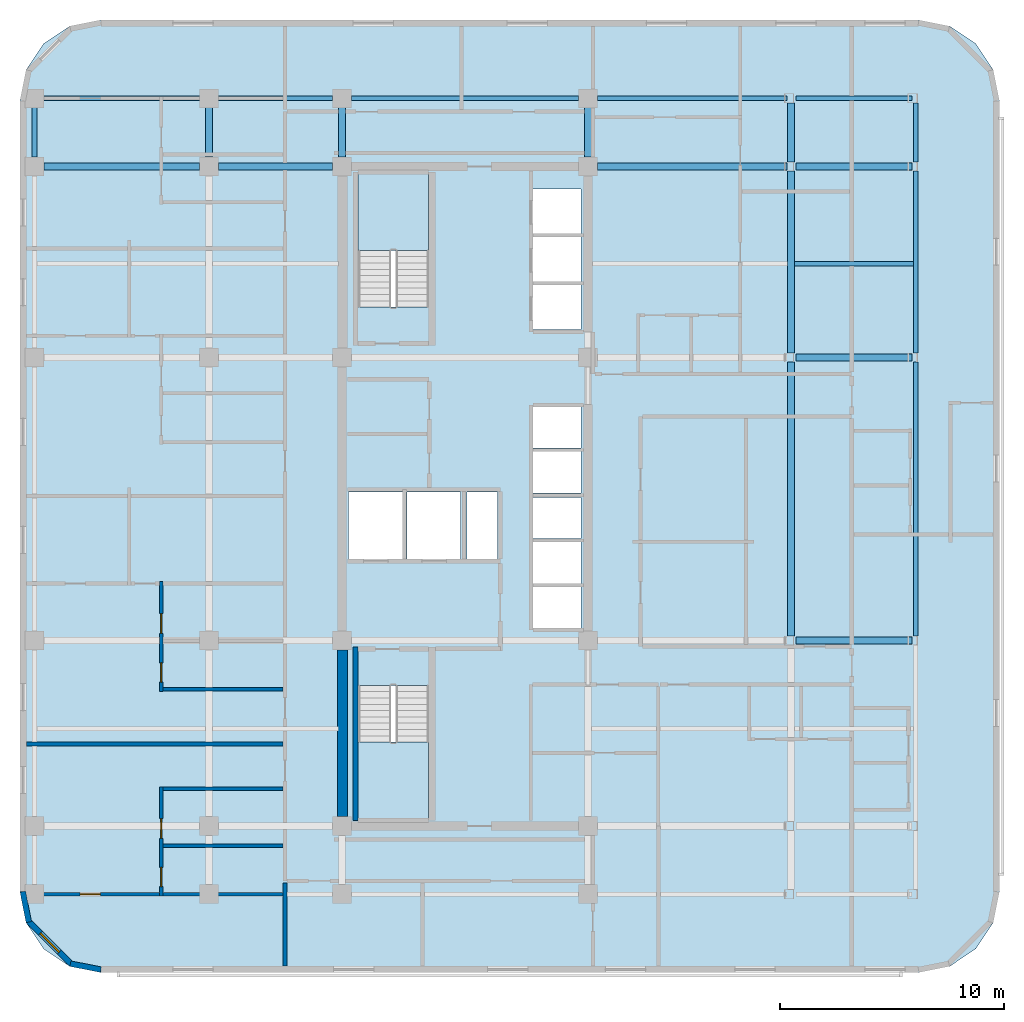
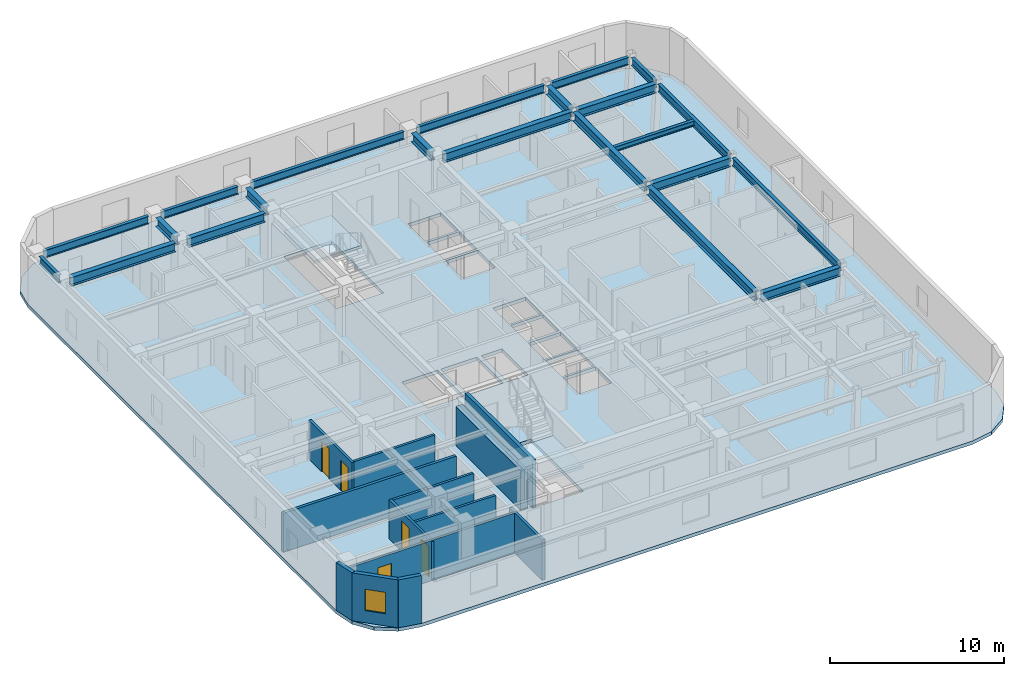
# One storey, part 2 of 11: 22 beams, 13 walls, 5 doors, 3 slabs, 1 window, 6 openings, 2 elements without a shape of their own.
"""IFC4 building model written with IfcOpenShell, lengths in metres."""

from ifc_helpers import new_model, si_unit, direction, frame, frame_2d, origin, origin_2d, place, context, subcontext, project, spatial, polyline, rectangle, i_section, outline, extrude, material, layer, layer_set, material_profile, profile_set, type_object, element, fill, aggregate, save


model = new_model("IFC4")

# Units and contexts
model_context = context("Model", 3, precision=1e-05, world=origin(), true_north=direction((0.0, 1.0)))
body_context = subcontext(model_context, "Body", "Model", "MODEL_VIEW")
ifc_project = project(units=[si_unit("LENGTHUNIT", "METRE"), si_unit("AREAUNIT", "SQUARE_METRE"), si_unit("VOLUMEUNIT", "CUBIC_METRE"), si_unit("PLANEANGLEUNIT", "RADIAN"), si_unit("MASSUNIT", "GRAM", prefix="KILO")], contexts=[model_context])

# Site, building, storey
site_placement = place(None, origin())
site = spatial("IfcSite", under=ifc_project, at=site_placement, CompositionType="ELEMENT")
building_placement = place(site_placement, origin())
building = spatial("IfcBuilding", under=site, at=building_placement, Name="Ochreholt Gables", CompositionType="ELEMENT")
storey_placement = place(building_placement, frame((0.0, 0.0, 121.199951171875)))
storey = spatial("IfcBuildingStorey", under=building, at=storey_placement, Name="L31", CompositionType="ELEMENT", Elevation=121.199951171875)

# Beams
ifc_material_1 = material(Name="Steel CSA G40.21 350W", Category="steel")
ifc_material_profile_1 = material_profile(ifc_material_1, i_section(OverallWidth=0.323974609375, OverallDepth=0.611083984375, WebThickness=0.0126953125, FlangeThickness=0.01904296875, at=origin_2d()), Name="W610X155")
ifc_profile_set_1 = profile_set([ifc_material_profile_1], Name="Steel CSA G40.21 350W")
beam_type_1 = type_object("IfcBeamType", Name="BM-G-W610A", PredefinedType="BEAM", material=ifc_profile_set_1)
for number, where, z_axis, x_axis, name in (
    (1, (44.506591796875, 17.550048828125, 3.054443359375), (1.0, 0.0, 0.0), (0.0, 1.0, 0.0), "L31 Beam TBG-L31-EMEE-Y3"),
    (2, (44.506591796875, 30.199951171875, 3.054443359375), (1.0, 0.0, 0.0), (0.0, 1.0, 0.0), "L31 Beam TBG-L31-EMEE-Y4"),
):
    element("IfcBeam", number, at=place(storey_placement, frame(where, z_axis=z_axis, x_axis=x_axis)), inside=storey, type_object=beam_type_1, Name=name, PredefinedType="BEAM", context=body_context, shape_type="SweptSolid", body=[
        extrude(i_section(OverallWidth=0.323974609375, OverallDepth=0.611083984375, WebThickness=0.0126953125, FlangeThickness=0.01904296875, at=origin_2d()), origin(), (0.0, 0.0, 1.0), 5.18603515625),
    ])
beam_1_placement = place(storey_placement, frame((10.87451171875, 38.75, 3.054443359375), z_axis=(1.0, 0.0, 0.0), x_axis=(0.0, 1.0, 0.0)))
element("IfcBeam", 3, at=beam_1_placement, inside=storey, type_object=beam_type_1, Name="L31 Beam TBG-L31-W2W3-Y5", PredefinedType="BEAM", context=body_context, shape_type="SweptSolid", body=[
    extrude(i_section(OverallWidth=0.323974609375, OverallDepth=0.611083984375, WebThickness=0.0126953125, FlangeThickness=0.01904296875, at=origin_2d()), origin(), (0.0, 0.0, 1.0), 6.950927734375),
])
beam_2_placement = place(storey_placement, frame((18.674560546875, 38.75, 3.054443359375), z_axis=(1.0, 0.0, 0.0), x_axis=(0.0, 1.0, 0.0)))
element("IfcBeam", 4, at=beam_2_placement, inside=storey, type_object=beam_type_1, Name="L31 Beam TBG-L31-W3C1-Y5", PredefinedType="BEAM", context=body_context, shape_type="SweptSolid", body=[
    extrude(i_section(OverallWidth=0.323974609375, OverallDepth=0.611083984375, WebThickness=0.0126953125, FlangeThickness=0.01904296875, at=origin_2d()), origin(), (0.0, 0.0, 1.0), 5.100830078125),
])
beam_3_placement = place(storey_placement, frame((35.62451171875, 38.75, 3.054443359375), z_axis=(1.0, 0.0, 0.0), x_axis=(0.0, 1.0, 0.0)))
element("IfcBeam", 5, at=beam_3_placement, inside=storey, type_object=beam_type_1, Name="L31 Beam TBG-L31-C2EM-Y5", PredefinedType="BEAM", context=body_context, shape_type="SweptSolid", body=[
    extrude(i_section(OverallWidth=0.323974609375, OverallDepth=0.611083984375, WebThickness=0.0126953125, FlangeThickness=0.01904296875, at=origin_2d()), origin(), (0.0, 0.0, 1.0), 8.476806640625),
])
beam_4_placement = place(storey_placement, frame((44.506591796875, 38.75, 3.054443359375), z_axis=(1.0, 0.0, 0.0), x_axis=(0.0, 1.0, 0.0)))
element("IfcBeam", 6, at=beam_4_placement, inside=storey, type_object=beam_type_1, Name="L31 Beam TBG-L31-EMEE-Y5", PredefinedType="BEAM", context=body_context, shape_type="SweptSolid", body=[
    extrude(i_section(OverallWidth=0.323974609375, OverallDepth=0.611083984375, WebThickness=0.0126953125, FlangeThickness=0.01904296875, at=origin_2d()), origin(), (0.0, 0.0, 1.0), 5.18603515625),
])
for number, where, z_axis, x_axis, name in (
    (7, (18.25, 39.174560546875, 3.054443359375), (0.0, 1.0, 0.0), (-1.0, 0.0, 0.0), "L31 Beam TBN-L31-W3-Y5Y6"),
    (8, (24.199951171875, 39.174560546875, 3.054443359375), (0.0, 1.0, 0.0), (-1.0, 0.0, 0.0), "L31 Beam TBN-L31-C1-Y5Y6"),
    (9, (35.199951171875, 39.174560546875, 3.054443359375), (0.0, 1.0, 0.0), (-1.0, 0.0, 0.0), "L31 Beam TBN-L31-C2-Y5Y6"),
):
    element("IfcBeam", number, at=place(storey_placement, frame(where, z_axis=z_axis, x_axis=x_axis)), inside=storey, type_object=beam_type_1, Name=name, PredefinedType="BEAM", context=body_context, shape_type="SweptSolid", body=[
        extrude(i_section(OverallWidth=0.323974609375, OverallDepth=0.611083984375, WebThickness=0.0126953125, FlangeThickness=0.01904296875, at=origin_2d()), origin(), (0.0, 0.0, 1.0), 2.200927734375),
    ])
beam_5_placement = place(storey_placement, frame((44.286865234375, 17.752685546875, 3.054443359375), z_axis=(0.0, 1.0, 0.0), x_axis=(-1.0, 0.0, 0.0)))
element("IfcBeam", 10, at=beam_5_placement, inside=storey, type_object=beam_type_1, Name="L31 Beam TBN-L31-EM-Y3Y4", PredefinedType="BEAM", context=body_context, shape_type="SweptSolid", body=[
    extrude(i_section(OverallWidth=0.323974609375, OverallDepth=0.611083984375, WebThickness=0.0126953125, FlangeThickness=0.01904296875, at=origin_2d()), origin(), (0.0, 0.0, 1.0), 12.24462890625),
])
beam_6_placement = place(storey_placement, frame((44.286865234375, 30.402587890625, 3.054443359375), z_axis=(0.0, 1.0, 0.0), x_axis=(-1.0, 0.0, 0.0)))
element("IfcBeam", 11, at=beam_6_placement, inside=storey, type_object=beam_type_1, Name="L31 Beam TBN-L31-EM-Y4Y5", PredefinedType="BEAM", context=body_context, shape_type="SweptSolid", body=[
    extrude(i_section(OverallWidth=0.323974609375, OverallDepth=0.611083984375, WebThickness=0.0126953125, FlangeThickness=0.01904296875, at=origin_2d()), origin(), (0.0, 0.0, 1.0), 8.144775390625),
])
beam_7_placement = place(storey_placement, frame((44.286865234375, 38.95263671875, 3.054443359375), z_axis=(0.0, 1.0, 0.0), x_axis=(-1.0, 0.0, 0.0)))
element("IfcBeam", 12, at=beam_7_placement, inside=storey, type_object=beam_type_1, Name="L31 Beam TBN-L31-EM-Y5Y6", PredefinedType="BEAM", context=body_context, shape_type="SweptSolid", body=[
    extrude(i_section(OverallWidth=0.323974609375, OverallDepth=0.611083984375, WebThickness=0.0126953125, FlangeThickness=0.01904296875, at=origin_2d()), origin(), (0.0, 0.0, 1.0), 2.644775390625),
])
ifc_material_profile_2 = material_profile(ifc_material_1, i_section(OverallWidth=0.205078125, OverallDepth=0.35400390625, WebThickness=0.009521484375, FlangeThickness=0.016845703125, at=origin_2d()), Name="W360X79")
ifc_profile_set_2 = profile_set([ifc_material_profile_2], Name="Steel CSA G40.21 350W")
beam_type_2 = type_object("IfcBeamType", Name="BM-J-W360A", PredefinedType="JOIST", material=ifc_profile_set_2)
beam_8_placement = place(storey_placement, frame((44.448486328125, 34.39990234375, 3.18310546875), z_axis=(1.0, 0.0, 0.0), x_axis=(0.0, 1.0, 0.0)))
element("IfcBeam", 13, at=beam_8_placement, inside=storey, type_object=beam_type_2, Name="L31 Beam TBJ-L31-J2-EMEE", PredefinedType="JOIST", context=body_context, shape_type="SweptSolid", body=[
    extrude(i_section(OverallWidth=0.205078125, OverallDepth=0.35400390625, WebThickness=0.009521484375, FlangeThickness=0.016845703125, at=origin_2d()), origin(), (0.0, 0.0, 1.0), 5.314208984375),
])
ifc_material_profile_3 = material_profile(ifc_material_1, i_section(OverallWidth=0.208984375, OverallDepth=0.532958984375, WebThickness=0.01025390625, FlangeThickness=0.015625, at=origin_2d()), Name="W530X92")
ifc_profile_set_3 = profile_set([ifc_material_profile_3], Name="Steel CSA G40.21 350W")
beam_type_3 = type_object("IfcBeamType", Name="BM-SP-W530B", PredefinedType="SPANDREL", material=ifc_profile_set_3)
beam_9_placement = place(storey_placement, frame((10.87451171875, 41.800048828125, 3.093505859375), z_axis=(1.0, 0.0, 0.0), x_axis=(0.0, 1.0, 0.0)))
element("IfcBeam", 14, at=beam_9_placement, inside=storey, type_object=beam_type_3, Name="L31 Beam TBG-L31-W2W3-Y6", PredefinedType="SPANDREL", context=body_context, shape_type="SweptSolid", body=[
    extrude(i_section(OverallWidth=0.208984375, OverallDepth=0.532958984375, WebThickness=0.01025390625, FlangeThickness=0.015625, at=origin_2d()), origin(), (0.0, 0.0, 1.0), 6.950927734375),
])
beam_10_placement = place(storey_placement, frame((18.674560546875, 41.800048828125, 3.093505859375), z_axis=(1.0, 0.0, 0.0), x_axis=(0.0, 1.0, 0.0)))
element("IfcBeam", 15, at=beam_10_placement, inside=storey, type_object=beam_type_3, Name="L31 Beam TBG-L31-W3C1-Y6", PredefinedType="SPANDREL", context=body_context, shape_type="SweptSolid", body=[
    extrude(i_section(OverallWidth=0.208984375, OverallDepth=0.532958984375, WebThickness=0.01025390625, FlangeThickness=0.015625, at=origin_2d()), origin(), (0.0, 0.0, 1.0), 5.100830078125),
])
beam_11_placement = place(storey_placement, frame((24.62451171875, 41.800048828125, 3.093505859375), z_axis=(1.0, 0.0, 0.0), x_axis=(0.0, 1.0, 0.0)))
element("IfcBeam", 16, at=beam_11_placement, inside=storey, type_object=beam_type_3, Name="L31 Beam TBG-L31-C1C2-Y6", PredefinedType="SPANDREL", context=body_context, shape_type="SweptSolid", body=[
    extrude(i_section(OverallWidth=0.208984375, OverallDepth=0.532958984375, WebThickness=0.01025390625, FlangeThickness=0.015625, at=origin_2d()), origin(), (0.0, 0.0, 1.0), 10.15087890625),
])
beam_12_placement = place(storey_placement, frame((35.62451171875, 41.800048828125, 3.093505859375), z_axis=(1.0, 0.0, 0.0), x_axis=(0.0, 1.0, 0.0)))
element("IfcBeam", 17, at=beam_12_placement, inside=storey, type_object=beam_type_3, Name="L31 Beam TBG-L31-C2EM-Y6", PredefinedType="SPANDREL", context=body_context, shape_type="SweptSolid", body=[
    extrude(i_section(OverallWidth=0.208984375, OverallDepth=0.532958984375, WebThickness=0.01025390625, FlangeThickness=0.015625, at=origin_2d()), origin(), (0.0, 0.0, 1.0), 8.476806640625),
])
beam_13_placement = place(storey_placement, frame((44.506591796875, 41.800048828125, 3.093505859375), z_axis=(1.0, 0.0, 0.0), x_axis=(0.0, 1.0, 0.0)))
element("IfcBeam", 18, at=beam_13_placement, inside=storey, type_object=beam_type_3, Name="L31 Beam TBG-L31-EMEE-Y6", PredefinedType="SPANDREL", context=body_context, shape_type="SweptSolid", body=[
    extrude(i_section(OverallWidth=0.208984375, OverallDepth=0.532958984375, WebThickness=0.01025390625, FlangeThickness=0.015625, at=origin_2d()), origin(), (0.0, 0.0, 1.0), 5.18603515625),
])
beam_14_placement = place(storey_placement, frame((10.449951171875, 39.174560546875, 3.093505859375), z_axis=(0.0, 1.0, 0.0), x_axis=(-1.0, 0.0, 0.0)))
element("IfcBeam", 19, at=beam_14_placement, inside=storey, type_object=beam_type_3, Name="L31 Beam TBN-L31-W2-Y5Y6", PredefinedType="SPANDREL", context=body_context, shape_type="SweptSolid", body=[
    extrude(i_section(OverallWidth=0.208984375, OverallDepth=0.532958984375, WebThickness=0.01025390625, FlangeThickness=0.015625, at=origin_2d()), origin(), (0.0, 0.0, 1.0), 2.200927734375),
])
beam_15_placement = place(storey_placement, frame((49.86669921875, 17.752685546875, 3.093505859375), z_axis=(0.0, 1.0, 0.0), x_axis=(-1.0, 0.0, 0.0)))
element("IfcBeam", 20, at=beam_15_placement, inside=storey, type_object=beam_type_3, Name="L31 Beam TBN-L31-EE-Y3Y4", PredefinedType="SPANDREL", context=body_context, shape_type="SweptSolid", body=[
    extrude(i_section(OverallWidth=0.208984375, OverallDepth=0.532958984375, WebThickness=0.01025390625, FlangeThickness=0.015625, at=origin_2d()), origin(), (0.0, 0.0, 1.0), 12.24462890625),
])
beam_16_placement = place(storey_placement, frame((49.86669921875, 30.402587890625, 3.093505859375), z_axis=(0.0, 1.0, 0.0), x_axis=(-1.0, 0.0, 0.0)))
element("IfcBeam", 21, at=beam_16_placement, inside=storey, type_object=beam_type_3, Name="L31 Beam TBN-L31-EE-Y4Y5", PredefinedType="SPANDREL", context=body_context, shape_type="SweptSolid", body=[
    extrude(i_section(OverallWidth=0.208984375, OverallDepth=0.532958984375, WebThickness=0.01025390625, FlangeThickness=0.015625, at=origin_2d()), origin(), (0.0, 0.0, 1.0), 8.144775390625),
])
beam_17_placement = place(storey_placement, frame((49.86669921875, 38.95263671875, 3.093505859375), z_axis=(0.0, 1.0, 0.0), x_axis=(-1.0, 0.0, 0.0)))
element("IfcBeam", 22, at=beam_17_placement, inside=storey, type_object=beam_type_3, Name="L31 Beam TBN-L31-EE-Y5Y6", PredefinedType="SPANDREL", context=body_context, shape_type="SweptSolid", body=[
    extrude(i_section(OverallWidth=0.208984375, OverallDepth=0.532958984375, WebThickness=0.01025390625, FlangeThickness=0.015625, at=origin_2d()), origin(), (0.0, 0.0, 1.0), 2.644775390625),
])

# Stair, slab
ifc_material_2 = material(Name="Concrete 40 MPa", Category="concrete")
stair_type_1 = type_object("IfcStairType", Name="STAIR-CORE-ST-1", PredefinedType="HALF_TURN_STAIR", material=ifc_material_2)
stair_1_placement = place(storey_placement, origin())
stair_1 = element("IfcStair", 23, at=stair_1_placement, inside=storey, type_object=stair_type_1, Name="L31 Core Exit Stair 1", PredefinedType="HALF_TURN_STAIR")
ifc_layer_1 = layer(ifc_material_2, 0.199951171875, Name="Concrete 40 MPa")
ifc_layer_set_1 = layer_set([ifc_layer_1], Name="Concrete 40 MPa")
slab_type_1 = type_object("IfcSlabType", Name="LANDING-RC200", PredefinedType="LANDING", material=ifc_layer_set_1)
slab_1_placement = place(storey_placement, frame((0.0, 0.0, 1.60009765625)))
slab_1 = element("IfcSlab", 24, at=slab_1_placement, type_object=slab_type_1, Name="ST-1 landing 1", PredefinedType="LANDING", context=body_context, shape_type="SweptSolid", body=[
    extrude(outline(polyline([(24.919921875, 13.001953125), (24.919921875, 9.52001953125), (28.080078125, 9.52001953125), (28.080078125, 13.001953125), (24.919921875, 13.001953125)])), origin(), (0.0, 0.0, 1.0), 0.199951171875),
])
aggregate(stair_1, [slab_1])

stair_type_2 = type_object("IfcStairType", Name="STAIR-CORE-ST-2", PredefinedType="HALF_TURN_STAIR", material=ifc_material_2)
stair_2_placement = place(storey_placement, origin())
stair_2 = element("IfcStair", 25, at=stair_2_placement, inside=storey, type_object=stair_type_2, Name="L31 Core Exit Stair 2", PredefinedType="HALF_TURN_STAIR")
slab_2_placement = place(storey_placement, frame((0.0, 0.0, 1.60009765625)))
slab_2 = element("IfcSlab", 26, at=slab_2_placement, type_object=slab_type_1, Name="ST-2 landing 1", PredefinedType="LANDING", context=body_context, shape_type="SweptSolid", body=[
    extrude(outline(polyline([(28.080078125, 34.998046875), (28.080078125, 38.47998046875), (24.919921875, 38.47998046875), (24.919921875, 34.998046875), (28.080078125, 34.998046875)])), origin(), (0.0, 0.0, 1.0), 0.199951171875),
])
aggregate(stair_2, [slab_2])

# Slab
ifc_layer_2 = layer(ifc_material_2, 0.239990234375, Name="Concrete 40 MPa")
ifc_layer_set_2 = layer_set([ifc_layer_2], Name="Concrete 40 MPa")
slab_type_2 = type_object("IfcSlabType", Name="SLAB-TWR-240", PredefinedType="FLOOR", material=ifc_layer_set_2)
slab_3_placement = place(storey_placement, frame((0.0, 0.0, -0.239990234375)))
element("IfcSlab", 27, at=slab_3_placement, inside=storey, type_object=slab_type_2, Name="L31 Structural Floor Slab", PredefinedType="FLOOR", context=body_context, shape_type="SweptSolid", body=[
    extrude(outline(polyline([(9.800048828125, 6.300048828125), (10.073974609375, 4.92236328125), (10.8544921875, 3.75439453125), (12.022216796875, 2.97412109375), (13.39990234375, 2.699951171875), (50.0, 2.699951171875), (51.377685546875, 2.97412109375), (52.545654296875, 3.75439453125), (53.325927734375, 4.92236328125), (53.60009765625, 6.300048828125), (53.60009765625, 41.699951171875), (53.325927734375, 43.07763671875), (52.545654296875, 44.24560546875), (51.377685546875, 45.02587890625), (50.0, 45.300048828125), (13.39990234375, 45.300048828125), (12.022216796875, 45.02587890625), (10.8544921875, 44.24560546875), (10.073974609375, 43.07763671875), (9.800048828125, 41.699951171875), (9.800048828125, 6.300048828125)]), holes=[polyline([(24.919921875, 15.539306640625), (24.919921875, 9.52001953125), (28.080078125, 9.52001953125), (28.080078125, 15.539306640625), (24.919921875, 15.539306640625)]), polyline([(28.080078125, 32.460693359375), (28.080078125, 38.47998046875), (24.919921875, 38.47998046875), (24.919921875, 32.460693359375), (28.080078125, 32.460693359375)]), polyline([(24.5, 21.199951171875), (26.89990234375, 21.199951171875), (26.89990234375, 24.199951171875), (24.5, 24.199951171875), (24.5, 21.199951171875)]), polyline([(27.10009765625, 21.199951171875), (29.5, 21.199951171875), (29.5, 24.199951171875), (27.10009765625, 24.199951171875), (27.10009765625, 21.199951171875)]), polyline([(32.75, 18.10009765625), (34.89990234375, 18.10009765625), (34.89990234375, 19.949951171875), (32.75, 19.949951171875), (32.75, 18.10009765625)]), polyline([(32.75, 20.10009765625), (34.89990234375, 20.10009765625), (34.89990234375, 21.949951171875), (32.75, 21.949951171875), (32.75, 20.10009765625)]), polyline([(32.75, 22.10009765625), (34.89990234375, 22.10009765625), (34.89990234375, 23.949951171875), (32.75, 23.949951171875), (32.75, 22.10009765625)]), polyline([(32.75, 24.14990234375), (34.89990234375, 24.14990234375), (34.89990234375, 26.0), (32.75, 26.0), (32.75, 24.14990234375)]), polyline([(32.75, 26.14990234375), (34.89990234375, 26.14990234375), (34.89990234375, 28.0), (32.75, 28.0), (32.75, 26.14990234375)]), polyline([(32.75, 31.449951171875), (34.89990234375, 31.449951171875), (34.89990234375, 33.449951171875), (32.75, 33.449951171875), (32.75, 31.449951171875)]), polyline([(32.75, 33.60009765625), (34.89990234375, 33.60009765625), (34.89990234375, 35.60009765625), (32.75, 35.60009765625), (32.75, 33.60009765625)]), polyline([(32.75, 35.75), (34.89990234375, 35.75), (34.89990234375, 37.75), (32.75, 37.75), (32.75, 35.75)]), polyline([(29.800048828125, 21.199951171875), (31.14990234375, 21.199951171875), (31.14990234375, 24.199951171875), (29.800048828125, 24.199951171875), (29.800048828125, 21.199951171875)])]), origin(), (0.0, 0.0, 1.0), 0.239990234375),
])

# Walls
ifc_material_3 = material(Name="Concrete 60 MPa", Category="concrete")
ifc_layer_3 = layer(ifc_material_3, 0.449951171875, Name="Concrete 60 MPa")
ifc_layer_set_3 = layer_set([ifc_layer_3], Name="Concrete 60 MPa")
wall_type_1 = type_object("IfcWallType", Name="WALL-CSW-450", PredefinedType="SHEAR", material=ifc_layer_set_3)
wall_1_placement = place(storey_placement, frame((24.22509765625, 9.675048828125, 0.0), z_axis=(0.0, 0.0, 1.0), x_axis=(0.0, 1.0, 0.0)))
element("IfcWall", 28, at=wall_1_placement, inside=storey, type_object=wall_type_1, Name="L31 Core West Shear Wall WS", PredefinedType="SHEAR", context=body_context, shape_type="SweptSolid", body=[
    extrude(rectangle(XDim=7.449951171875, YDim=0.449951171875, at=frame_2d((3.72509765625, 0.0))), origin(), (0.0, 0.0, 1.0), 2.7490234375),
])
ifc_material_4 = material(Name="Precast concrete 40 MPa", Category="concrete")
ifc_layer_4 = layer(ifc_material_4, 0.25, Name="Precast concrete 40 MPa")
ifc_layer_set_4 = layer_set([ifc_layer_4], Name="Precast concrete 40 MPa")
wall_type_2 = type_object("IfcWallType", Name="WALL-EXT-CNR", PredefinedType="SOLIDWALL", material=ifc_layer_set_4)
wall_2_placement = place(storey_placement, frame((9.92431640625, 6.31640625, 0.0), z_axis=(0.0, 0.0, 1.0), x_axis=(0.195000137217, -0.980803214965, 0.0)))
element("IfcWall", 29, at=wall_2_placement, inside=storey, type_object=wall_type_2, Name="L31 Rounded Corner Wall SW-1", PredefinedType="SOLIDWALL", context=body_context, shape_type="SweptSolid", body=[
    extrude(rectangle(XDim=1.388427734375, YDim=0.25, at=frame_2d((0.6943359375, 0.0))), origin(), (0.0, 0.0, 1.0), 3.360107421875),
])

# Wall, opening, window
wall_3_placement = place(storey_placement, frame((10.16796875, 5.0048828125, 0.0), z_axis=(0.0, 0.0, 1.0), x_axis=(0.707151344399, -0.707062215165, 0.0)))
wall_3 = element("IfcWall", 30, at=wall_3_placement, inside=storey, type_object=wall_type_2, Name="L31 Rounded Corner Wall SW-2", PredefinedType="SOLIDWALL", context=body_context, shape_type="SweptSolid", body=[
    extrude(rectangle(XDim=2.7392578125, YDim=0.25, at=frame_2d((1.36962890625, 0.0))), origin(), (0.0, 0.0, 1.0), 3.360107421875),
])
opening_1_placement = place(wall_3_placement, frame((0.769775390625, 0.0, 0.85009765625)))
opening_1 = element("IfcOpeningElement", 31, at=opening_1_placement, cuts=wall_3, Name="Opening WN-3", PredefinedType="OPENING", context=body_context, shape_type="SweptSolid", body=[
    extrude(rectangle(XDim=1.199951171875, YDim=1.5, at=frame_2d((0.60009765625, 0.75))), frame((0.0, 0.135009765625, 0.0), z_axis=(0.0, -1.0, 0.0), x_axis=(1.0, 0.0, 0.0)), (0.0, 0.0, 1.0), 0.27001953125),
])
ifc_material_5 = material(Name="Triple-Glazed Thermally Broken Aluminium Window", Category="aluminium")
window_type = type_object("IfcWindowType", Name="WIN-RES-1200", PartitioningType="SINGLE_PANEL", PredefinedType="WINDOW", material=ifc_material_5)
window_placement = place(opening_1_placement, origin())
window = element("IfcWindow", 32, at=window_placement, inside=storey, type_object=window_type, Name="L31 Corner Bedroom Window SW", OverallHeight=1.5, OverallWidth=1.199951171875, PartitioningType="SINGLE_PANEL", PredefinedType="WINDOW", context=body_context, shape_type="SweptSolid", body=[
    extrude(rectangle(XDim=1.199951171875, YDim=1.5, at=frame_2d((0.60009765625, 0.75))), frame((0.0, 0.030029296875, 0.0), z_axis=(0.0, -1.0, 0.0), x_axis=(1.0, 0.0, 0.0)), (0.0, 0.0, 1.0), 0.06005859375),
])
fill(opening_1, window)

# Walls
wall_4_placement = place(storey_placement, frame((12.054443359375, 3.094970703125, 0.0), z_axis=(0.0, 0.0, 1.0), x_axis=(0.980809899341, -0.19496651342, 0.0)))
element("IfcWall", 33, at=wall_4_placement, inside=storey, type_object=wall_type_2, Name="L31 Rounded Corner Wall SW-3", PredefinedType="SOLIDWALL", context=body_context, shape_type="SweptSolid", body=[
    extrude(rectangle(XDim=1.388671875, YDim=0.25, at=frame_2d((0.6943359375, 0.0))), origin(), (0.0, 0.0, 1.0), 3.360107421875),
])
ifc_material_6 = material(Name="Double-Stud Acoustic Demising Wall", Category="gypsum")
ifc_layer_5 = layer(ifc_material_6, 0.179931640625, Name="Double-Stud Acoustic Demising Wall")
ifc_layer_set_5 = layer_set([ifc_layer_5], Name="Double-Stud Acoustic Demising Wall")
wall_type_3 = type_object("IfcWallType", Name="WALL-INT-DM180", PredefinedType="PARTITIONING", material=ifc_layer_set_5)
wall_5_placement = place(storey_placement, frame((21.64990234375, 2.97998046875, 0.0), z_axis=(0.0, 0.0, 1.0), x_axis=(0.0, 1.0, 0.0)))
element("IfcWall", 34, at=wall_5_placement, inside=storey, type_object=wall_type_3, Name="L31 Interior Wall WI-C2WWS-L31", PredefinedType="PARTITIONING", context=body_context, shape_type="SweptSolid", body=[
    extrude(rectangle(XDim=3.72998046875, YDim=0.179931640625, at=frame_2d((1.864990234375, 0.0))), origin(), (0.0, 0.0, 1.0), 2.80908203125),
])
wall_6_placement = place(storey_placement, frame((10.080078125, 12.924072265625, 0.0), z_axis=(0.0, 0.0, 1.0), x_axis=(1.0, 0.0, 0.0)))
element("IfcWall", 35, at=wall_6_placement, inside=storey, type_object=wall_type_3, Name="L31 Interior Wall WI-C2UDW2-L31", PredefinedType="PARTITIONING", context=body_context, shape_type="SweptSolid", body=[
    extrude(rectangle(XDim=11.47998046875, YDim=0.179931640625, at=frame_2d((5.739990234375, 0.0))), origin(), (0.0, 0.0, 1.0), 2.73095703125),
])
ifc_material_7 = material(Name="Moisture-Resistant Plumbing Chase Wall", Category="gypsum")
ifc_layer_6 = layer(ifc_material_7, 0.159912109375, Name="Moisture-Resistant Plumbing Chase Wall")
ifc_layer_set_6 = layer_set([ifc_layer_6], Name="Moisture-Resistant Plumbing Chase Wall")
wall_type_4 = type_object("IfcWallType", Name="WALL-INT-PL160", PredefinedType="PLUMBINGWALL", material=ifc_layer_set_6)
wall_7_placement = place(storey_placement, frame((16.030029296875, 10.912109375, 0.0), z_axis=(0.0, 0.0, 1.0), x_axis=(1.0, 0.0, 0.0)))
element("IfcWall", 36, at=wall_7_placement, inside=storey, type_object=wall_type_4, Name="L31 Interior Wall WU-L31W1-FYN", PredefinedType="PLUMBINGWALL", context=body_context, shape_type="SweptSolid", body=[
    extrude(rectangle(XDim=5.530029296875, YDim=0.159912109375, at=frame_2d((2.76513671875, 0.0))), origin(), (0.0, 0.0, 1.0), 2.73095703125),
])

# Wall, openings, doors
wall_8_placement = place(storey_placement, frame((16.110107421875, 6.114990234375, 0.0), z_axis=(0.0, 0.0, 1.0), x_axis=(0.0, 1.0, 0.0)))
wall_8 = element("IfcWall", 37, at=wall_8_placement, inside=storey, type_object=wall_type_4, Name="L31 Interior Wall WU-L31W1-WX", PredefinedType="PLUMBINGWALL", context=body_context, shape_type="SweptSolid", body=[
    extrude(rectangle(XDim=4.886962890625, YDim=0.159912109375, at=frame_2d((2.443359375, 0.0))), origin(), (0.0, 0.0, 1.0), 2.73095703125),
])
opening_2_placement = place(wall_8_placement, frame((0.419921875, 0.0, 0.0)))
opening_2 = element("IfcOpeningElement", 38, at=opening_2_placement, cuts=wall_8, Name="Opening D-BT1", PredefinedType="OPENING", context=body_context, shape_type="SweptSolid", body=[
    extrude(rectangle(XDim=0.860107421875, YDim=2.1201171875, at=frame_2d((0.43017578125, 1.06005859375))), frame((0.0, 0.08984375, 0.0), z_axis=(0.0, -1.0, 0.0), x_axis=(1.0, 0.0, 0.0)), (0.0, 0.0, 1.0), 0.179931640625),
])
opening_3_placement = place(wall_8_placement, frame((2.585205078125, 0.0, 0.0)))
opening_3 = element("IfcOpeningElement", 39, at=opening_3_placement, cuts=wall_8, Name="Opening D-GN2", PredefinedType="OPENING", context=body_context, shape_type="SweptSolid", body=[
    extrude(rectangle(XDim=0.8798828125, YDim=2.1201171875, at=frame_2d((0.43994140625, 1.06005859375))), frame((0.0, 0.08984375, 0.0), z_axis=(0.0, -1.0, 0.0), x_axis=(1.0, 0.0, 0.0)), (0.0, 0.0, 1.0), 0.179931640625),
])
ifc_material_8 = material(Name="Engineered Oak Timber", Category="wood")
door_type_1 = type_object("IfcDoorType", Name="DR-INT-BTH860", OperationType="NOTDEFINED", PredefinedType="DOOR", material=ifc_material_8)
door_1_placement = place(opening_2_placement, origin())
door_1 = element("IfcDoor", 40, at=door_1_placement, inside=storey, type_object=door_type_1, Name="L31 Door D-U-L31W1-BTH", OperationType="SINGLE_SWING_LEFT", OverallHeight=2.1201171875, OverallWidth=0.860107421875, PredefinedType="DOOR", context=body_context, shape_type="SweptSolid", body=[
    extrude(rectangle(XDim=0.860107421875, YDim=2.1201171875, at=frame_2d((0.43017578125, 1.06005859375))), frame((0.0, 0.02490234375, 0.0), z_axis=(0.0, -1.0, 0.0), x_axis=(1.0, 0.0, 0.0)), (0.0, 0.0, 1.0), 0.050048828125),
])
fill(opening_2, door_1)
door_type_2 = type_object("IfcDoorType", Name="DR-INT-GEN880", OperationType="NOTDEFINED", PredefinedType="DOOR", material=ifc_material_8)
door_2_placement = place(opening_3_placement, origin())
door_2 = element("IfcDoor", 41, at=door_2_placement, inside=storey, type_object=door_type_2, Name="L31 Door D-U-L31W1-KIT", OperationType="SINGLE_SWING_RIGHT", OverallHeight=2.1201171875, OverallWidth=0.8798828125, PredefinedType="DOOR", context=body_context, shape_type="SweptSolid", body=[
    extrude(rectangle(XDim=0.8798828125, YDim=2.1201171875, at=frame_2d((0.43994140625, 1.06005859375))), frame((0.0, 0.02490234375, 0.0), z_axis=(0.0, -1.0, 0.0), x_axis=(1.0, 0.0, 0.0)), (0.0, 0.0, 1.0), 0.050048828125),
])
fill(opening_3, door_2)

# Walls
wall_9_placement = place(storey_placement, frame((16.18994140625, 8.3701171875, 0.0), z_axis=(0.0, 0.0, 1.0), x_axis=(1.0, 0.0, 0.0)))
element("IfcWall", 42, at=wall_9_placement, inside=storey, type_object=wall_type_4, Name="L31 Interior Wall WU-L31W1-WK", PredefinedType="PLUMBINGWALL", context=body_context, shape_type="SweptSolid", body=[
    extrude(rectangle(XDim=5.3701171875, YDim=0.159912109375, at=frame_2d((2.68505859375, 0.0))), origin(), (0.0, 0.0, 1.0), 2.73095703125),
])
wall_10_placement = place(storey_placement, frame((16.030029296875, 15.36083984375, 0.0), z_axis=(0.0, 0.0, 1.0), x_axis=(1.0, 0.0, 0.0)))
element("IfcWall", 43, at=wall_10_placement, inside=storey, type_object=wall_type_4, Name="L31 Interior Wall WU-L31W2-FYS", PredefinedType="PLUMBINGWALL", context=body_context, shape_type="SweptSolid", body=[
    extrude(rectangle(XDim=5.530029296875, YDim=0.159912109375, at=frame_2d((2.76513671875, 0.0))), origin(), (0.0, 0.0, 1.0), 2.73095703125),
])

# Wall, openings, doors
wall_11_placement = place(storey_placement, frame((16.110107421875, 15.27099609375, 0.0), z_axis=(0.0, 0.0, 1.0), x_axis=(0.0, 1.0, 0.0)))
wall_11 = element("IfcWall", 44, at=wall_11_placement, inside=storey, type_object=wall_type_4, Name="L31 Interior Wall WU-L31W2-WX", PredefinedType="PLUMBINGWALL", context=body_context, shape_type="SweptSolid", body=[
    extrude(rectangle(XDim=4.915283203125, YDim=0.159912109375, at=frame_2d((2.45751953125, 0.0))), origin(), (0.0, 0.0, 1.0), 2.73095703125),
])
opening_4_placement = place(wall_11_placement, frame((0.419921875, 0.0, 0.0)))
opening_4 = element("IfcOpeningElement", 45, at=opening_4_placement, cuts=wall_11, Name="Opening D-BT1", PredefinedType="OPENING", context=body_context, shape_type="SweptSolid", body=[
    extrude(rectangle(XDim=0.860107421875, YDim=2.1201171875, at=frame_2d((0.43017578125, 1.06005859375))), frame((0.0, 0.08984375, 0.0), z_axis=(0.0, -1.0, 0.0), x_axis=(1.0, 0.0, 0.0)), (0.0, 0.0, 1.0), 0.179931640625),
])
opening_5_placement = place(wall_11_placement, frame((2.598388671875, 0.0, 0.0)))
opening_5 = element("IfcOpeningElement", 46, at=opening_5_placement, cuts=wall_11, Name="Opening D-GN2", PredefinedType="OPENING", context=body_context, shape_type="SweptSolid", body=[
    extrude(rectangle(XDim=0.8798828125, YDim=2.1201171875, at=frame_2d((0.43994140625, 1.06005859375))), frame((0.0, 0.08984375, 0.0), z_axis=(0.0, -1.0, 0.0), x_axis=(1.0, 0.0, 0.0)), (0.0, 0.0, 1.0), 0.179931640625),
])
door_3_placement = place(opening_4_placement, origin())
door_3 = element("IfcDoor", 47, at=door_3_placement, inside=storey, type_object=door_type_1, Name="L31 Door D-U-L31W2-BTH", OperationType="SINGLE_SWING_RIGHT", OverallHeight=2.1201171875, OverallWidth=0.860107421875, PredefinedType="DOOR", context=body_context, shape_type="SweptSolid", body=[
    extrude(rectangle(XDim=0.860107421875, YDim=2.1201171875, at=frame_2d((0.43017578125, 1.06005859375))), frame((0.0, 0.02490234375, 0.0), z_axis=(0.0, -1.0, 0.0), x_axis=(1.0, 0.0, 0.0)), (0.0, 0.0, 1.0), 0.050048828125),
])
fill(opening_4, door_3)
door_4_placement = place(opening_5_placement, origin())
door_4 = element("IfcDoor", 48, at=door_4_placement, inside=storey, type_object=door_type_2, Name="L31 Door D-U-L31W2-KIT", OperationType="SINGLE_SWING_LEFT", OverallHeight=2.1201171875, OverallWidth=0.8798828125, PredefinedType="DOOR", context=body_context, shape_type="SweptSolid", body=[
    extrude(rectangle(XDim=0.8798828125, YDim=2.1201171875, at=frame_2d((0.43994140625, 1.06005859375))), frame((0.0, 0.02490234375, 0.0), z_axis=(0.0, -1.0, 0.0), x_axis=(1.0, 0.0, 0.0)), (0.0, 0.0, 1.0), 0.050048828125),
])
fill(opening_5, door_4)

# Wall, opening, door
ifc_material_9 = material(Name="Gypsum Acoustic Stud Partition", Category="gypsum")
ifc_layer_7 = layer(ifc_material_9, 0.1650390625, Name="Gypsum Acoustic Stud Partition")
ifc_layer_set_7 = layer_set([ifc_layer_7], Name="Gypsum Acoustic Stud Partition")
wall_type_5 = type_object("IfcWallType", Name="WALL-INT-PT165", PredefinedType="PARTITIONING", material=ifc_layer_set_7)
wall_12_placement = place(storey_placement, frame((10.099365234375, 6.205078125, 0.0), z_axis=(0.0, 0.0, 1.0), x_axis=(1.0, 0.0, 0.0)))
wall_12 = element("IfcWall", 49, at=wall_12_placement, inside=storey, type_object=wall_type_5, Name="L31 Interior Wall WU-L31W1-MN", PredefinedType="PARTITIONING", context=body_context, shape_type="SweptSolid", body=[
    extrude(rectangle(XDim=11.460693359375, YDim=0.1650390625, at=frame_2d((5.73046875, 0.0))), origin(), (0.0, 0.0, 1.0), 2.80908203125),
])
opening_6_placement = place(wall_12_placement, frame((2.390625, 0.0, 0.0)))
opening_6 = element("IfcOpeningElement", 50, at=opening_6_placement, cuts=wall_12, Name="Opening D-BD1", PredefinedType="OPENING", context=body_context, shape_type="SweptSolid", body=[
    extrude(rectangle(XDim=0.89990234375, YDim=2.139892578125, at=frame_2d((0.449951171875, 1.06982421875))), frame((0.0, 0.092529296875, 0.0), z_axis=(0.0, -1.0, 0.0), x_axis=(1.0, 0.0, 0.0)), (0.0, 0.0, 1.0), 0.18505859375),
])
door_type_3 = type_object("IfcDoorType", Name="DR-INT-BED900", OperationType="NOTDEFINED", PredefinedType="DOOR", material=ifc_material_8)
door_5_placement = place(opening_6_placement, origin())
door_5 = element("IfcDoor", 51, at=door_5_placement, inside=storey, type_object=door_type_3, Name="L31 Door D-U-L31W1-BD1", OperationType="SINGLE_SWING_LEFT", OverallHeight=2.139892578125, OverallWidth=0.89990234375, PredefinedType="DOOR", context=body_context, shape_type="SweptSolid", body=[
    extrude(rectangle(XDim=0.89990234375, YDim=2.139892578125, at=frame_2d((0.449951171875, 1.06982421875))), frame((0.0, 0.02490234375, 0.0), z_axis=(0.0, -1.0, 0.0), x_axis=(1.0, 0.0, 0.0)), (0.0, 0.0, 1.0), 0.050048828125),
])
fill(opening_6, door_5)

# Wall
ifc_material_10 = material(Name="Concrete 50 MPa", Category="concrete")
ifc_layer_8 = layer(ifc_material_10, 0.219970703125, Name="Concrete 50 MPa")
ifc_layer_set_8 = layer_set([ifc_layer_8], Name="Concrete 50 MPa")
wall_type_6 = type_object("IfcWallType", Name="WALL-STW-220", PredefinedType="SHEAR", material=ifc_layer_set_8)
wall_13_placement = place(storey_placement, frame((24.81005859375, 9.5, 0.0), z_axis=(0.0, 0.0, 1.0), x_axis=(0.0, 1.0, 0.0)))
element("IfcWall", 52, at=wall_13_placement, inside=storey, type_object=wall_type_6, Name="L31 Exit Stair 1 West Wall", PredefinedType="SHEAR", context=body_context, shape_type="SweptSolid", body=[
    extrude(rectangle(XDim=7.760009765625, YDim=0.219970703125, at=frame_2d((3.8798828125, 0.0))), origin(), (0.0, 0.0, 1.0), 3.360107421875),
])

save(model, "model.ifc")
